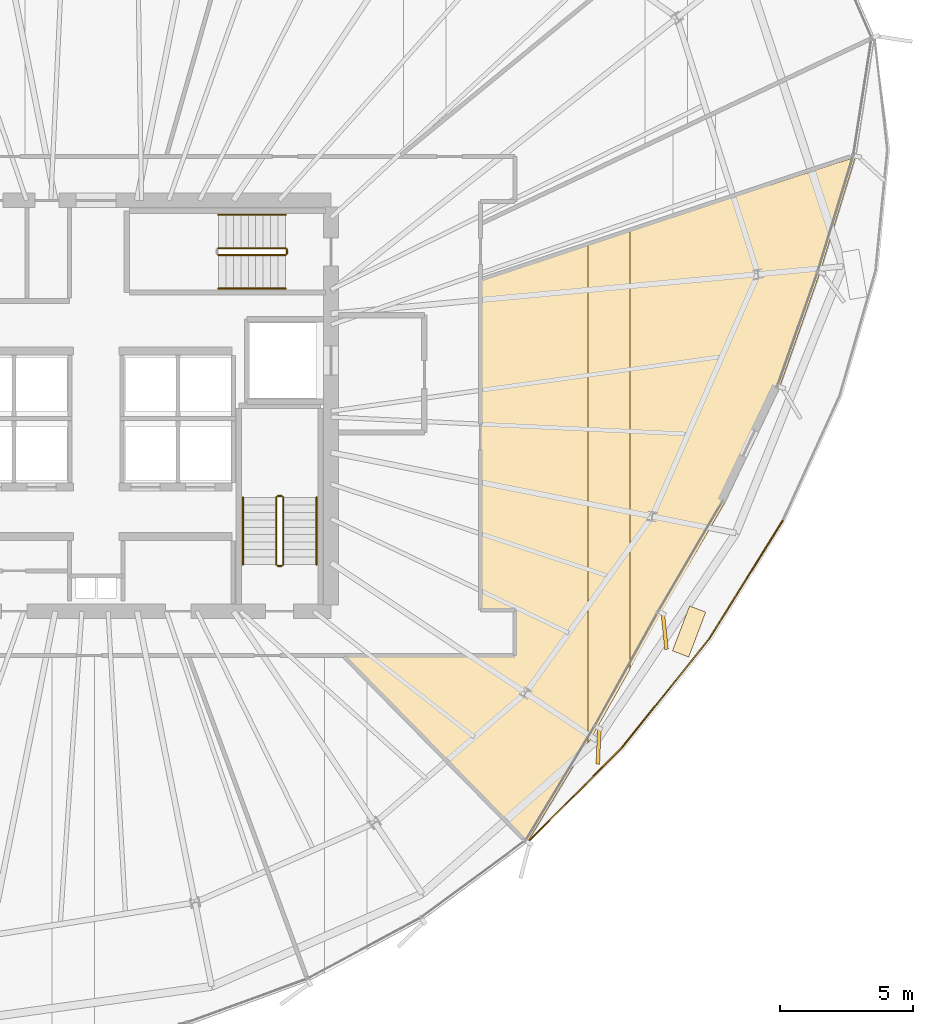
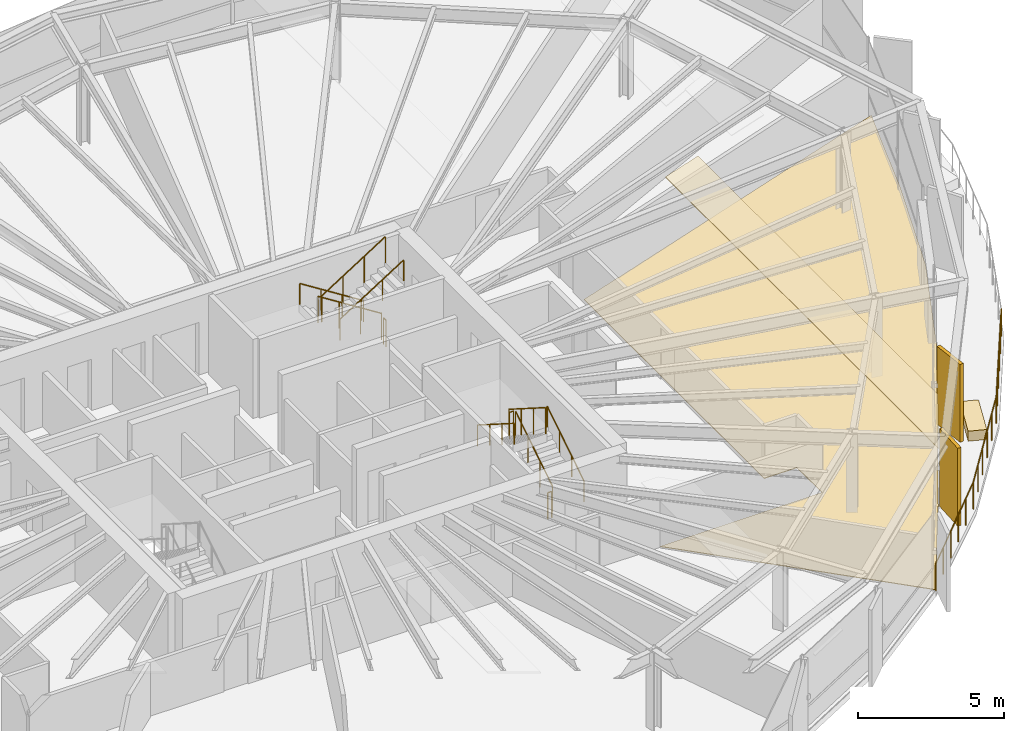
# One storey, part 35 of 36: 14 railings, 5 coverings.
"""IFC4 building model written with IfcOpenShell, lengths in metres."""

import ifcopenshell
import ifcopenshell.guid

model = None  # the IFC model being written
_history = None  # IfcOwnerHistory: only IFC2X3 demands one
_inside = {}  # id of a spatial element -> (the spatial element, [elements in it])
_under = {}  # id of a project, library or spatial element -> (it, [spatial elements below it])
_declared = {}  # id of a project -> (the project, [libraries it declares])
_typed = {}  # id of a type object -> (the type object, [elements of that type])
_made_of = {}  # id of a material, layer set ... -> (it, [elements and type objects made of it])


def new_model(schema):
    """Start an empty IFC model of exactly this schema.

    Asked for "IFC4X3", IfcOpenShell would pick the latest addendum, in which some entities
    have other attributes; the version numbers below select the first issue.
    IFC2X3 requires an IfcOwnerHistory on every rooted entity: one is made here for all.
    """
    global model, _history
    if schema == "IFC4X3":
        model = ifcopenshell.file(schema_version=(4, 3, 0, 0))
    else:
        model = ifcopenshell.file(schema=schema)
    _inside.clear()
    _under.clear()
    _declared.clear()
    _typed.clear()
    _made_of.clear()
    _history = None
    if model.schema == "IFC2X3":
        org = make("IfcOrganization", Name="unknown")
        user = make(
            "IfcPersonAndOrganization",
            ThePerson=make("IfcPerson", FamilyName="unknown"),
            TheOrganization=org,
        )
        app = make(
            "IfcApplication",
            ApplicationDeveloper=org,
            Version="unknown",
            ApplicationFullName="unknown",
            ApplicationIdentifier="unknown",
        )
        _history = make(
            "IfcOwnerHistory",
            OwningUser=user,
            OwningApplication=app,
            ChangeAction="ADDED",
            CreationDate=0,
        )
    return model


def make(cls, **values):
    """One entity of the class cls with the attributes given. An attribute that is None is left unset."""
    return model.create_entity(
        cls, **{name: value for name, value in values.items() if value is not None}
    )


def rooted(cls, **values):
    """An entity with a GlobalId (a new one), such as an element, a storey or a relation."""
    return make(cls, GlobalId=ifcopenshell.guid.new(), OwnerHistory=_history, **values)


def si_unit(unit_type, name, prefix=None):
    """IfcSIUnit, for example si_unit("LENGTHUNIT", "METRE", prefix="MILLI")."""
    return make("IfcSIUnit", UnitType=unit_type, Prefix=prefix, Name=name)


def assignment(units):
    """IfcUnitAssignment: the units of a project."""
    return None if units is None else make("IfcUnitAssignment", Units=units)


def point(xyz):
    """IfcCartesianPoint."""
    return None if xyz is None else make("IfcCartesianPoint", Coordinates=xyz)


def direction(xyz):
    """IfcDirection."""
    return None if xyz is None else make("IfcDirection", DirectionRatios=xyz)


def frame(location, z_axis=None, x_axis=None):
    """IfcAxis2Placement3D, a coordinate frame: its origin and axes. An axis left out is left unset."""
    return make(
        "IfcAxis2Placement3D",
        Location=point(location),
        Axis=direction(z_axis),
        RefDirection=direction(x_axis),
    )


def frame_2d(location, x_axis=None):
    """IfcAxis2Placement2D, a coordinate frame in the plane: its origin and x axis."""
    return make(
        "IfcAxis2Placement2D", Location=point(location), RefDirection=direction(x_axis)
    )


def origin():
    """The frame at (0, 0, 0) with its axes left unset."""
    return frame((0.0, 0.0, 0.0))


def origin_2d():
    """The frame at (0, 0) in the plane with its x axis left unset."""
    return frame_2d((0.0, 0.0))


def place(relative_to, where):
    """IfcLocalPlacement: puts the frame where relative to a parent placement (None: the world)."""
    return make(
        "IfcLocalPlacement", PlacementRelTo=relative_to, RelativePlacement=where
    )


def context(
    kind, dimensions, precision=None, world=None, true_north=None, identifier=None
):
    """IfcGeometricRepresentationContext, for example the 3D "Model" context."""
    return make(
        "IfcGeometricRepresentationContext",
        ContextIdentifier=identifier,
        ContextType=kind,
        CoordinateSpaceDimension=dimensions,
        Precision=precision,
        WorldCoordinateSystem=world,
        TrueNorth=true_north,
    )


def subcontext(parent, identifier, kind, view, scale=None):
    """IfcGeometricRepresentationSubContext, for example "Body" below "Model"."""
    return make(
        "IfcGeometricRepresentationSubContext",
        ContextIdentifier=identifier,
        ContextType=kind,
        ParentContext=parent,
        TargetScale=scale,
        TargetView=view,
    )


def project(units=None, contexts=None):
    """IfcProject with its units and contexts."""
    return rooted(
        "IfcProject",
        Name="project",
        RepresentationContexts=contexts,
        UnitsInContext=assignment(units),
    )


def spatial(cls, under=None, at=None, **own):
    """A site, building, storey or space (cls), placed at a placement, below another one or the project."""
    s = rooted(cls, ObjectPlacement=at, **own)
    if under is not None:
        _under.setdefault(under.id(), (under, []))[1].append(s)
    return s


def polyline(points):
    """IfcPolyline through the points."""
    return make("IfcPolyline", Points=[point(p) for p in points])


def profile(cls, at=None, kind="AREA", **sizes):
    """A parametric profile (cls). Its sizes go by their IFC names, for example OverallWidth=200.0."""
    return make(cls, ProfileType=kind, Position=at, **sizes)


def rectangle(**sizes):
    """IfcRectangleProfileDef."""
    return profile("IfcRectangleProfileDef", **sizes)


def circle(**sizes):
    """IfcCircleProfileDef."""
    return profile("IfcCircleProfileDef", **sizes)


def outline(outer, holes=None, kind="AREA"):
    """IfcArbitraryClosedProfileDef: a profile drawn as a closed curve; with holes, ...WithVoids."""
    if holes is None:
        return make("IfcArbitraryClosedProfileDef", ProfileType=kind, OuterCurve=outer)
    return make(
        "IfcArbitraryProfileDefWithVoids",
        ProfileType=kind,
        OuterCurve=outer,
        InnerCurves=holes,
    )


def extrude(swept, where, along, depth):
    """IfcExtrudedAreaSolid: the profile swept, set in the frame where, extruded along a direction by depth."""
    return make(
        "IfcExtrudedAreaSolid",
        SweptArea=swept,
        Position=where,
        ExtrudedDirection=direction(along),
        Depth=depth,
    )


def shape(context_of_items, identifier, shape_type, items):
    """IfcShapeRepresentation: the items that make up one representation, for example the "Body"."""
    return make(
        "IfcShapeRepresentation",
        ContextOfItems=context_of_items,
        RepresentationIdentifier=identifier,
        RepresentationType=shape_type,
        Items=items,
    )


def source(mapping_origin, context_of_items, identifier, shape_type, items):
    """IfcRepresentationMap: a shape defined once, which mapped items show again and again."""
    return make(
        "IfcRepresentationMap",
        MappingOrigin=mapping_origin,
        MappedRepresentation=shape(context_of_items, identifier, shape_type, items),
    )


def transform(
    local_origin,
    x_axis=None,
    y_axis=None,
    z_axis=None,
    scale=None,
    scale2=None,
    scale3=None,
    uniform=True,
):
    """IfcCartesianTransformationOperator3D, or its non-uniform kind. x_axis, y_axis, z_axis: its Axis1, 2, 3."""
    if uniform:
        return make(
            "IfcCartesianTransformationOperator3D",
            Axis1=direction(x_axis),
            Axis2=direction(y_axis),
            LocalOrigin=point(local_origin),
            Scale=scale,
            Axis3=direction(z_axis),
        )
    return make(
        "IfcCartesianTransformationOperator3DnonUniform",
        Axis1=direction(x_axis),
        Axis2=direction(y_axis),
        LocalOrigin=point(local_origin),
        Scale=scale,
        Axis3=direction(z_axis),
        Scale2=scale2,
        Scale3=scale3,
    )


def mapped(mapping_source, mapping_target):
    """IfcMappedItem: shows the shape of a source again, moved by a transform."""
    return make(
        "IfcMappedItem", MappingSource=mapping_source, MappingTarget=mapping_target
    )


def material(Name=None, Category=None):
    """IfcMaterial."""
    return make("IfcMaterial", Name=Name, Category=Category)


def layer(
    of_material, thickness, ventilated=None, Name=None, Category=None, Priority=None
):
    """IfcMaterialLayer: one layer of a wall or slab, of a material (None: an air gap)."""
    return make(
        "IfcMaterialLayer",
        Material=of_material,
        LayerThickness=thickness,
        IsVentilated=ventilated,
        Name=Name,
        Category=Category,
        Priority=Priority,
    )


def layer_set(layers, Name=None):
    """IfcMaterialLayerSet."""
    return make("IfcMaterialLayerSet", MaterialLayers=layers, LayerSetName=Name)


def made_of(thing, what):
    """Note that an element or type object is made of a material, layer set ...; save() writes the relation."""
    if what is not None:
        _made_of.setdefault(what.id(), (what, []))[1].append(thing)
    return thing


def type_object(cls, material=None, **own):
    """A type object (cls), such as IfcWallType, which elements share."""
    return made_of(rooted(cls, **own), material)


def element(
    cls,
    number,
    at=None,
    inside=None,
    cuts=None,
    type_object=None,
    material=None,
    context=None,
    identifier="Body",
    shape_type=None,
    held_by="IfcProductDefinitionShape",
    body=None,
    shapes=None,
    **own,
):
    """One element of the class cls, such as IfcWall. Its Tag is "e" and its number.

    at: its placement. inside: the storey or other place that contains it. cuts: it is an
    opening in that element (IfcRelVoidsElement). A single representation is given by context,
    identifier, shape_type and body (its items); several are given by shapes. held_by: the class
    of the entity that holds the representations. save() writes the other relations.
    """
    e = rooted(cls, Tag="e%d" % number, ObjectPlacement=at, **own)
    if body is not None:
        shapes = [shape(context, identifier, shape_type, body)]
    if shapes is not None:
        e.Representation = make(held_by, Representations=shapes)
    if inside is not None:
        _inside.setdefault(inside.id(), (inside, []))[1].append(e)
    if cuts is not None:
        rooted(
            "IfcRelVoidsElement", RelatingBuildingElement=cuts, RelatedOpeningElement=e
        )
    if type_object is not None:
        _typed.setdefault(type_object.id(), (type_object, []))[1].append(e)
    return made_of(e, material)


def aggregate(whole, parts):
    """IfcRelAggregates: a whole, such as a stair, and the parts it consists of."""
    return rooted("IfcRelAggregates", RelatingObject=whole, RelatedObjects=parts)


def save(model, path):
    """Write the relations noted so far, then the file.

    IfcRelAggregates (storeys below a building ...), IfcRelContainedInSpatialStructure (elements
    in a storey), IfcRelDefinesByType, IfcRelAssociatesMaterial and IfcRelDeclares: one each for
    every whole, place, type object, material and project.
    """
    for whole, parts in _under.values():
        aggregate(whole, parts)
    for where, things in _inside.values():
        rooted(
            "IfcRelContainedInSpatialStructure",
            RelatedElements=things,
            RelatingStructure=where,
        )
    for kind, things in _typed.values():
        rooted("IfcRelDefinesByType", RelatedObjects=things, RelatingType=kind)
    for what, things in _made_of.values():
        rooted("IfcRelAssociatesMaterial", RelatedObjects=things, RelatingMaterial=what)
    for by, libraries in _declared.values():
        rooted("IfcRelDeclares", RelatingContext=by, RelatedDefinitions=libraries)
    model.write(path)


model = new_model("IFC4")

# Units and contexts
model_context = context("Model", 3, precision=1e-05, world=origin(), true_north=direction((0.0, 1.0)))
body_context = subcontext(model_context, "Body", "Model", "MODEL_VIEW")
ifc_project = project(units=[si_unit("LENGTHUNIT", "METRE"), si_unit("AREAUNIT", "SQUARE_METRE"), si_unit("VOLUMEUNIT", "CUBIC_METRE"), si_unit("PLANEANGLEUNIT", "RADIAN"), si_unit("MASSUNIT", "GRAM", prefix="KILO"), si_unit("THERMODYNAMICTEMPERATUREUNIT", "KELVIN")], contexts=[model_context])

# Site, building, storey
site_placement = place(None, origin())
site = spatial("IfcSite", under=ifc_project, at=site_placement, CompositionType="ELEMENT")
building_placement = place(site_placement, origin())
building = spatial("IfcBuilding", under=site, at=building_placement, Name="Kethvar Cultural Tower", CompositionType="ELEMENT")
storey_placement = place(building_placement, frame((0.0, 0.0, 164.300048828125)))
storey = spatial("IfcBuildingStorey", under=building, at=storey_placement, Name="L42", CompositionType="ELEMENT", Elevation=164.300048828125)

# Coverings
ifc_material_1 = material(Name="Acoustic Mineral Fibre Ceiling")
ifc_layer_1 = layer(ifc_material_1, 0.0400390625, Name="Acoustic Mineral Fibre Ceiling")
ifc_layer_set_1 = layer_set([ifc_layer_1], Name="Acoustic Mineral Fibre Ceiling (40 mm)")
covering_type_1 = type_object("IfcCoveringType", Name="CV-ACOUSTIC-CEIL", PredefinedType="CEILING", material=ifc_layer_set_1)
covering_1_placement = place(storey_placement, frame((0.0, 0.0, 2.889892578125)))
element("IfcCovering", 1, at=covering_1_placement, inside=storey, type_object=covering_type_1, Name="L42 Room 04 Acoustic Ceiling Panel", PredefinedType="CEILING", context=body_context, shape_type="SweptSolid", body=[
    extrude(outline(polyline([(66.814697265625, 17.9345703125), (65.224853515625, 15.117919921875), (65.224853515625, 33.87109375), (66.814697265625, 34.39306640625), (66.814697265625, 17.9345703125)])), origin(), (0.0, 0.0, 1.0), 0.0400390625),
])
ifc_material_2 = material(Name="Architectural Oak Timber", Category="wood")
ifc_layer_2 = layer(ifc_material_2, 0.02490234375, Name="Architectural Oak Timber", Category="wood")
ifc_layer_set_2 = layer_set([ifc_layer_2], Name="Architectural Oak Timber (25 mm)")
covering_type_2 = type_object("IfcCoveringType", Name="CV-OAK-FLOOR", PredefinedType="FLOORING", material=ifc_layer_set_2)
covering_2_placement = place(storey_placement, origin())
element("IfcCovering", 2, at=covering_2_placement, inside=storey, type_object=covering_type_2, Name="L42 Room 04 Floor Finish", PredefinedType="FLOORING", context=body_context, shape_type="SweptSolid", body=[
    extrude(outline(polyline([(73.925537109375, 32.79541015625), (72.405517578125, 28.480224609375), (70.366455078125, 24.1982421875), (65.5703125, 15.7666015625), (62.974853515625, 11.47509765625), (56.095947265625, 18.429931640625), (62.5185546875, 18.4423828125), (62.515380859375, 20.16259765625), (61.219970703125, 20.169921875), (61.219970703125, 32.513916015625), (75.251953125, 37.12158203125), (73.925537109375, 32.79541015625)])), origin(), (0.0, 0.0, 1.0), 0.02490234375),
])

# Railings
ifc_material_3 = material(Name="Steel S355J2", Category="steel")
railing_type_1 = type_object("IfcRailingType", Name="RL-EXT-GUARD-1150", PredefinedType="BALUSTRADE", material=ifc_material_3)
railing_1_placement = place(storey_placement, frame((62.978759765625, 11.44287109375, 0.0)))
element("IfcRailing", 3, at=railing_1_placement, inside=storey, type_object=railing_type_1, Name="L42 Spiralling Terrace Balustrade 01", PredefinedType="BALUSTRADE", context=body_context, shape_type="SweptSolid", body=[
    extrude(circle(Radius=0.02392578125, at=origin_2d()), frame((0.0, 0.0, 1.1259765625), z_axis=(0.704073227675, 0.710127375949, 0.0), x_axis=(-0.710127375949, 0.704073227675, 0.0)), (0.0, 0.0, 1.0), 5.040771484375),
    extrude(circle(Radius=0.02099609375, at=origin_2d()), origin(), (0.0, 0.0, 1.0), 1.101806640625),
    extrude(circle(Radius=0.02099609375, at=origin_2d()), frame((0.709716796875, 0.7158203125, 0.0)), (0.0, 0.0, 1.0), 1.101806640625),
    extrude(circle(Radius=0.02099609375, at=origin_2d()), frame((1.419677734375, 1.431884765625, 0.0)), (0.0, 0.0, 1.0), 1.101806640625),
    extrude(circle(Radius=0.02099609375, at=origin_2d()), frame((2.12939453125, 2.147705078125, 0.0)), (0.0, 0.0, 1.0), 1.101806640625),
    extrude(circle(Radius=0.02099609375, at=origin_2d()), frame((2.83935546875, 2.86376953125, 0.0)), (0.0, 0.0, 1.0), 1.101806640625),
    extrude(circle(Radius=0.02099609375, at=origin_2d()), frame((3.549072265625, 3.57958984375, 0.0)), (0.0, 0.0, 1.0), 1.101806640625),
])
railing_2_placement = place(storey_placement, frame((66.52783203125, 15.0224609375, 0.0)))
element("IfcRailing", 4, at=railing_2_placement, inside=storey, type_object=railing_type_1, Name="L42 Spiralling Terrace Balustrade 02", PredefinedType="BALUSTRADE", context=body_context, shape_type="SweptSolid", body=[
    extrude(circle(Radius=0.02392578125, at=origin_2d()), frame((0.0, 0.0, 1.1259765625), z_axis=(0.626246312932, 0.779625266099, 0.0), x_axis=(-0.779625266099, 0.626246312932, 0.0)), (0.0, 0.0, 1.0), 5.177978515625),
    extrude(circle(Radius=0.02099609375, at=origin_2d()), origin(), (0.0, 0.0, 1.0), 1.101806640625),
    extrude(circle(Radius=0.02099609375, at=origin_2d()), frame((0.6484375, 0.807373046875, 0.0)), (0.0, 0.0, 1.0), 1.101806640625),
    extrude(circle(Radius=0.02099609375, at=origin_2d()), frame((1.297119140625, 1.61474609375, 0.0)), (0.0, 0.0, 1.0), 1.101806640625),
    extrude(circle(Radius=0.02099609375, at=origin_2d()), frame((1.945556640625, 2.422119140625, 0.0)), (0.0, 0.0, 1.0), 1.101806640625),
    extrude(circle(Radius=0.02099609375, at=origin_2d()), frame((2.59423828125, 3.2294921875, 0.0)), (0.0, 0.0, 1.0), 1.101806640625),
    extrude(circle(Radius=0.02099609375, at=origin_2d()), frame((3.24267578125, 4.036865234375, 0.0)), (0.0, 0.0, 1.0), 1.101806640625),
])
railing_3_placement = place(storey_placement, frame((69.7705078125, 19.059326171875, 0.0)))
element("IfcRailing", 5, at=railing_3_placement, inside=storey, type_object=railing_type_1, Name="L42 Spiralling Terrace Balustrade 03", PredefinedType="BALUSTRADE", context=body_context, shape_type="SweptSolid", body=[
    extrude(circle(Radius=0.02392578125, at=origin_2d()), frame((0.0, 0.0, 1.1259765625), z_axis=(0.5276433299, 0.849466018398, 0.0), x_axis=(-0.849466018398, 0.5276433299, 0.0)), (0.0, 0.0, 1.0), 5.2216796875),
    extrude(circle(Radius=0.02099609375, at=origin_2d()), origin(), (0.0, 0.0, 1.0), 1.101806640625),
    extrude(circle(Radius=0.02099609375, at=origin_2d()), frame((0.551025390625, 0.88720703125, 0.0)), (0.0, 0.0, 1.0), 1.101806640625),
    extrude(circle(Radius=0.02099609375, at=origin_2d()), frame((1.10205078125, 1.774169921875, 0.0)), (0.0, 0.0, 1.0), 1.101806640625),
    extrude(circle(Radius=0.02099609375, at=origin_2d()), frame((1.653076171875, 2.661376953125, 0.0)), (0.0, 0.0, 1.0), 1.101806640625),
    extrude(circle(Radius=0.02099609375, at=origin_2d()), frame((2.2041015625, 3.54833984375, 0.0)), (0.0, 0.0, 1.0), 1.101806640625),
    extrude(circle(Radius=0.02099609375, at=origin_2d()), frame((2.755126953125, 4.435546875, 0.0)), (0.0, 0.0, 1.0), 1.101806640625),
])
railing_type_2 = type_object("IfcRailingType", Name="RL-STAIR-GUARD", PredefinedType="BALUSTRADE", material=ifc_material_3)
railing_4_placement = place(storey_placement, frame((53.81005859375, 21.85009765625, 0.177490234375)))
element("IfcRailing", 6, at=railing_4_placement, inside=storey, type_object=railing_type_2, Name="L42 ST-02 stair guard 1", PredefinedType="BALUSTRADE", context=body_context, shape_type="SweptSolid", body=[
    extrude(circle(Radius=0.02392578125, at=origin_2d()), frame((0.0, 0.0, 1.09619140625), z_axis=(0.0, 0.84460694969, 0.535386869969), x_axis=(-1.0, 0.0, 0.0)), (0.0, 0.0, 1.0), 2.983642578125),
    extrude(circle(Radius=0.02099609375, at=origin_2d()), origin(), (0.0, 0.0, 1.0), 1.072021484375),
    extrude(circle(Radius=0.02099609375, at=origin_2d()), frame((0.0, 0.840087890625, 0.532470703125)), (0.0, 0.0, 1.0), 1.072021484375),
    extrude(circle(Radius=0.02099609375, at=origin_2d()), frame((0.0, 1.679931640625, 1.06494140625)), (0.0, 0.0, 1.0), 1.072021484375),
    extrude(circle(Radius=0.02099609375, at=origin_2d()), frame((0.0, 2.52001953125, 1.597412109375)), (0.0, 0.0, 1.0), 1.072021484375),
])
railing_5_placement = place(storey_placement, frame((53.760009765625, 24.419921875, 1.77490234375)))
element("IfcRailing", 7, at=railing_5_placement, inside=storey, type_object=railing_type_2, Name="L42 ST-02 stair guard 2", PredefinedType="BALUSTRADE", context=body_context, shape_type="SweptSolid", body=[
    extrude(circle(Radius=0.02392578125, at=origin_2d()), frame((0.0, 0.0, 1.09619140625), z_axis=(-1.0, 0.0, 0.0), x_axis=(0.0, -1.0, 0.0)), (0.0, 0.0, 1.0), 0.159912109375),
    extrude(circle(Radius=0.02099609375, at=origin_2d()), origin(), (0.0, 0.0, 1.0), 1.072021484375),
    extrude(circle(Radius=0.02099609375, at=origin_2d()), frame((-0.159912109375, 0.0, 0.0)), (0.0, 0.0, 1.0), 1.072021484375),
])
railing_6_placement = place(storey_placement, frame((53.550048828125, 24.3701171875, 1.952392578125)))
element("IfcRailing", 8, at=railing_6_placement, inside=storey, type_object=railing_type_2, Name="L42 ST-02 stair guard 3", PredefinedType="BALUSTRADE", context=body_context, shape_type="SweptSolid", body=[
    extrude(circle(Radius=0.02392578125, at=origin_2d()), frame((0.0, 0.0, 1.09619140625), z_axis=(0.0, -0.84456994832, 0.535445237532), x_axis=(1.0, 0.0, 0.0)), (0.0, 0.0, 1.0), 2.98388671875),
    extrude(circle(Radius=0.02099609375, at=origin_2d()), origin(), (0.0, 0.0, 1.0), 1.072021484375),
    extrude(circle(Radius=0.02099609375, at=origin_2d()), frame((0.0, -0.840087890625, 0.532470703125)), (0.0, 0.0, 1.0), 1.072021484375),
    extrude(circle(Radius=0.02099609375, at=origin_2d()), frame((0.0, -1.679931640625, 1.065185546875)), (0.0, 0.0, 1.0), 1.072021484375),
    extrude(circle(Radius=0.02099609375, at=origin_2d()), frame((0.0, -2.52001953125, 1.59765625)), (0.0, 0.0, 1.0), 1.072021484375),
])
railing_7_placement = place(storey_placement, frame((53.760009765625, 21.800048828125, 0.0)))
element("IfcRailing", 9, at=railing_7_placement, inside=storey, type_object=railing_type_2, Name="L42 ST-02 stair guard 4", PredefinedType="BALUSTRADE", context=body_context, shape_type="SweptSolid", body=[
    extrude(circle(Radius=0.02392578125, at=origin_2d()), frame((0.0, 0.0, 1.09619140625), z_axis=(-1.0, 0.0, 0.0), x_axis=(0.0, -1.0, 0.0)), (0.0, 0.0, 1.0), 0.159912109375),
    extrude(circle(Radius=0.02099609375, at=origin_2d()), origin(), (0.0, 0.0, 1.0), 1.072021484375),
    extrude(circle(Radius=0.02099609375, at=origin_2d()), frame((-0.159912109375, 0.0, 0.0)), (0.0, 0.0, 1.0), 1.072021484375),
])
railing_8_placement = place(storey_placement, frame((53.89990234375, 33.7099609375, 0.177490234375)))
element("IfcRailing", 10, at=railing_8_placement, inside=storey, type_object=railing_type_2, Name="L42 ST-03 stair guard 1", PredefinedType="BALUSTRADE", context=body_context, shape_type="SweptSolid", body=[
    extrude(circle(Radius=0.02392578125, at=origin_2d()), frame((0.0, 0.0, 1.09619140625), z_axis=(-0.84460694969, 0.0, 0.535386869969), x_axis=(0.0, -1.0, 0.0)), (0.0, 0.0, 1.0), 2.983642578125),
    extrude(circle(Radius=0.02099609375, at=origin_2d()), origin(), (0.0, 0.0, 1.0), 1.072021484375),
    extrude(circle(Radius=0.02099609375, at=origin_2d()), frame((-0.840087890625, 0.0, 0.532470703125)), (0.0, 0.0, 1.0), 1.072021484375),
    extrude(circle(Radius=0.02099609375, at=origin_2d()), frame((-1.679931640625, 0.0, 1.06494140625)), (0.0, 0.0, 1.0), 1.072021484375),
    extrude(circle(Radius=0.02099609375, at=origin_2d()), frame((-2.52001953125, 0.0, 1.597412109375)), (0.0, 0.0, 1.0), 1.072021484375),
])
railing_9_placement = place(storey_placement, frame((51.3798828125, 33.449951171875, 1.952392578125)))
element("IfcRailing", 11, at=railing_9_placement, inside=storey, type_object=railing_type_2, Name="L42 ST-03 stair guard 3", PredefinedType="BALUSTRADE", context=body_context, shape_type="SweptSolid", body=[
    extrude(circle(Radius=0.02392578125, at=origin_2d()), frame((0.0, 0.0, 1.09619140625), z_axis=(0.84456994832, 0.0, 0.535445237532), x_axis=(0.0, 1.0, 0.0)), (0.0, 0.0, 1.0), 2.98388671875),
    extrude(circle(Radius=0.02099609375, at=origin_2d()), origin(), (0.0, 0.0, 1.0), 1.072021484375),
    extrude(circle(Radius=0.02099609375, at=origin_2d()), frame((0.840087890625, 0.0, 0.532470703125)), (0.0, 0.0, 1.0), 1.072021484375),
    extrude(circle(Radius=0.02099609375, at=origin_2d()), frame((1.679931640625, 0.0, 1.065185546875)), (0.0, 0.0, 1.0), 1.072021484375),
    extrude(circle(Radius=0.02099609375, at=origin_2d()), frame((2.52001953125, 0.0, 1.59765625)), (0.0, 0.0, 1.0), 1.072021484375),
])
railing_10_placement = place(storey_placement, frame((53.949951171875, 33.659912109375, 0.0)))
element("IfcRailing", 12, at=railing_10_placement, inside=storey, type_object=railing_type_2, Name="L42 ST-03 stair guard 4", PredefinedType="BALUSTRADE", context=body_context, shape_type="SweptSolid", body=[
    extrude(circle(Radius=0.02392578125, at=origin_2d()), frame((0.0, 0.0, 1.09619140625), z_axis=(0.0, -1.0, 0.0), x_axis=(1.0, 0.0, 0.0)), (0.0, 0.0, 1.0), 0.159912109375),
    extrude(circle(Radius=0.02099609375, at=origin_2d()), origin(), (0.0, 0.0, 1.0), 1.072021484375),
    extrude(circle(Radius=0.02099609375, at=origin_2d()), frame((0.0, -0.159912109375, 0.0)), (0.0, 0.0, 1.0), 1.072021484375),
])
railing_type_3 = type_object("IfcRailingType", Name="RL-STAIR-HANDRAIL", PredefinedType="HANDRAIL", material=ifc_material_3)
railing_11_placement = place(storey_placement, frame((55.06005859375, 21.85009765625, 0.177490234375)))
element("IfcRailing", 13, at=railing_11_placement, inside=storey, type_object=railing_type_3, Name="L42 ST-02 stair handrail 1", PredefinedType="HANDRAIL", context=body_context, shape_type="SweptSolid", body=[
    extrude(circle(Radius=0.02392578125, at=origin_2d()), frame((0.0, 0.0, 0.8759765625), z_axis=(0.0, 0.84460694969, 0.535386869969), x_axis=(-1.0, 0.0, 0.0)), (0.0, 0.0, 1.0), 2.983642578125),
    extrude(circle(Radius=0.02099609375, at=origin_2d()), origin(), (0.0, 0.0, 1.0), 0.851806640625),
    extrude(circle(Radius=0.02099609375, at=origin_2d()), frame((0.0, 0.840087890625, 0.532470703125)), (0.0, 0.0, 1.0), 0.851806640625),
    extrude(circle(Radius=0.02099609375, at=origin_2d()), frame((0.0, 1.679931640625, 1.06494140625)), (0.0, 0.0, 1.0), 0.851806640625),
    extrude(circle(Radius=0.02099609375, at=origin_2d()), frame((0.0, 2.52001953125, 1.597412109375)), (0.0, 0.0, 1.0), 0.851806640625),
])
railing_12_placement = place(storey_placement, frame((52.300048828125, 24.3701171875, 1.952392578125)))
element("IfcRailing", 14, at=railing_12_placement, inside=storey, type_object=railing_type_3, Name="L42 ST-02 stair handrail 2", PredefinedType="HANDRAIL", context=body_context, shape_type="SweptSolid", body=[
    extrude(circle(Radius=0.02392578125, at=origin_2d()), frame((0.0, 0.0, 0.8759765625), z_axis=(0.0, -0.84456994832, 0.535445237532), x_axis=(1.0, 0.0, 0.0)), (0.0, 0.0, 1.0), 2.98388671875),
    extrude(circle(Radius=0.02099609375, at=origin_2d()), origin(), (0.0, 0.0, 1.0), 0.851806640625),
    extrude(circle(Radius=0.02099609375, at=origin_2d()), frame((0.0, -0.840087890625, 0.532470703125)), (0.0, 0.0, 1.0), 0.851806640625),
    extrude(circle(Radius=0.02099609375, at=origin_2d()), frame((0.0, -1.679931640625, 1.065185546875)), (0.0, 0.0, 1.0), 0.851806640625),
    extrude(circle(Radius=0.02099609375, at=origin_2d()), frame((0.0, -2.52001953125, 1.59765625)), (0.0, 0.0, 1.0), 0.851806640625),
])
railing_13_placement = place(storey_placement, frame((53.89990234375, 34.9599609375, 0.177490234375)))
element("IfcRailing", 15, at=railing_13_placement, inside=storey, type_object=railing_type_3, Name="L42 ST-03 stair handrail 1", PredefinedType="HANDRAIL", context=body_context, shape_type="SweptSolid", body=[
    extrude(circle(Radius=0.02392578125, at=origin_2d()), frame((0.0, 0.0, 0.8759765625), z_axis=(-0.84460694969, 0.0, 0.535386869969), x_axis=(0.0, -1.0, 0.0)), (0.0, 0.0, 1.0), 2.983642578125),
    extrude(circle(Radius=0.02099609375, at=origin_2d()), origin(), (0.0, 0.0, 1.0), 0.851806640625),
    extrude(circle(Radius=0.02099609375, at=origin_2d()), frame((-0.840087890625, 0.0, 0.532470703125)), (0.0, 0.0, 1.0), 0.851806640625),
    extrude(circle(Radius=0.02099609375, at=origin_2d()), frame((-1.679931640625, 0.0, 1.06494140625)), (0.0, 0.0, 1.0), 0.851806640625),
    extrude(circle(Radius=0.02099609375, at=origin_2d()), frame((-2.52001953125, 0.0, 1.597412109375)), (0.0, 0.0, 1.0), 0.851806640625),
])
railing_14_placement = place(storey_placement, frame((51.3798828125, 32.199951171875, 1.952392578125)))
element("IfcRailing", 16, at=railing_14_placement, inside=storey, type_object=railing_type_3, Name="L42 ST-03 stair handrail 2", PredefinedType="HANDRAIL", context=body_context, shape_type="SweptSolid", body=[
    extrude(circle(Radius=0.02392578125, at=origin_2d()), frame((0.0, 0.0, 0.8759765625), z_axis=(0.84456994832, 0.0, 0.535445237532), x_axis=(0.0, 1.0, 0.0)), (0.0, 0.0, 1.0), 2.98388671875),
    extrude(circle(Radius=0.02099609375, at=origin_2d()), origin(), (0.0, 0.0, 1.0), 0.851806640625),
    extrude(circle(Radius=0.02099609375, at=origin_2d()), frame((0.840087890625, 0.0, 0.532470703125)), (0.0, 0.0, 1.0), 0.851806640625),
    extrude(circle(Radius=0.02099609375, at=origin_2d()), frame((1.679931640625, 0.0, 1.065185546875)), (0.0, 0.0, 1.0), 0.851806640625),
    extrude(circle(Radius=0.02099609375, at=origin_2d()), frame((2.52001953125, 0.0, 1.59765625)), (0.0, 0.0, 1.0), 0.851806640625),
])

# Coverings
ifc_material_4 = material(Name="Extruded Architectural Terracotta", Category="masonry")
ifc_layer_3 = layer(ifc_material_4, 0.419921875, Name="Extruded Architectural Terracotta", Category="masonry")
ifc_layer_set_3 = layer_set([ifc_layer_3], Name="Extruded Architectural Terracotta (420 mm)")
covering_type_3 = type_object("IfcCoveringType", Name="Terracotta Terrace Planter PLANTER-01", PredefinedType="USERDEFINED", material=ifc_layer_set_3)
shared_shape_1 = source(origin(), body_context, "Body", "SweptSolid", [
    extrude(rectangle(XDim=1.800048828125, YDim=0.64990234375, at=origin_2d()), origin(), (0.0, 0.0, 1.0), 0.419921875),
])
covering_3_placement = place(storey_placement, frame((69.022705078125, 19.34375, 0.0), z_axis=(0.0, 0.0, 1.0), x_axis=(0.355596387288, 0.93463961469, 0.0)))
element("IfcCovering", 17, at=covering_3_placement, inside=storey, type_object=covering_type_3, Name="L42 Sky Terrace Planter Box A", ObjectType="PLANTER", PredefinedType="USERDEFINED", context=body_context, shape_type="MappedRepresentation", body=[
    mapped(shared_shape_1, transform((0.0, 0.0, 0.0), scale=1.0)),
])
ifc_layer_4 = layer(ifc_material_4, 0.135009765625, Name="Extruded Architectural Terracotta", Category="masonry")
ifc_layer_set_4 = layer_set([ifc_layer_4], Name="Extruded Architectural Terracotta (135 mm)")
covering_type_4 = type_object("IfcCoveringType", Name="Terracotta Facade Fin FIN-02", PredefinedType="CLADDING", material=ifc_layer_set_4)
shared_shape_2 = source(origin(), body_context, "Body", "SweptSolid", [
    extrude(rectangle(XDim=1.35009765625, YDim=0.135009765625, at=origin_2d()), origin(), (0.0, 0.0, 1.0), 3.260009765625),
])
for number, where, z_axis, x_axis, name in (
    (18, (65.629150390625, 15.043701171875, 0.02001953125), (0.0, 0.0, 1.0), (-0.042398787456, -0.999100767101, 0.0), "L42 Vertical Terracotta Fin 5.6"),
    (19, (68.10693359375, 19.34716796875, 0.02001953125), (0.0, 0.0, 1.0), (0.104007718516, -0.994576490014, 0.0), "L42 Vertical Terracotta Fin 6.1"),
):
    element("IfcCovering", number, at=place(storey_placement, frame(where, z_axis=z_axis, x_axis=x_axis)), inside=storey, type_object=covering_type_4, Name=name, PredefinedType="CLADDING", context=body_context, shape_type="MappedRepresentation", body=[
        mapped(shared_shape_2, transform((0.0, 0.0, 0.0), scale=1.0)),
    ])

save(model, "model.ifc")
